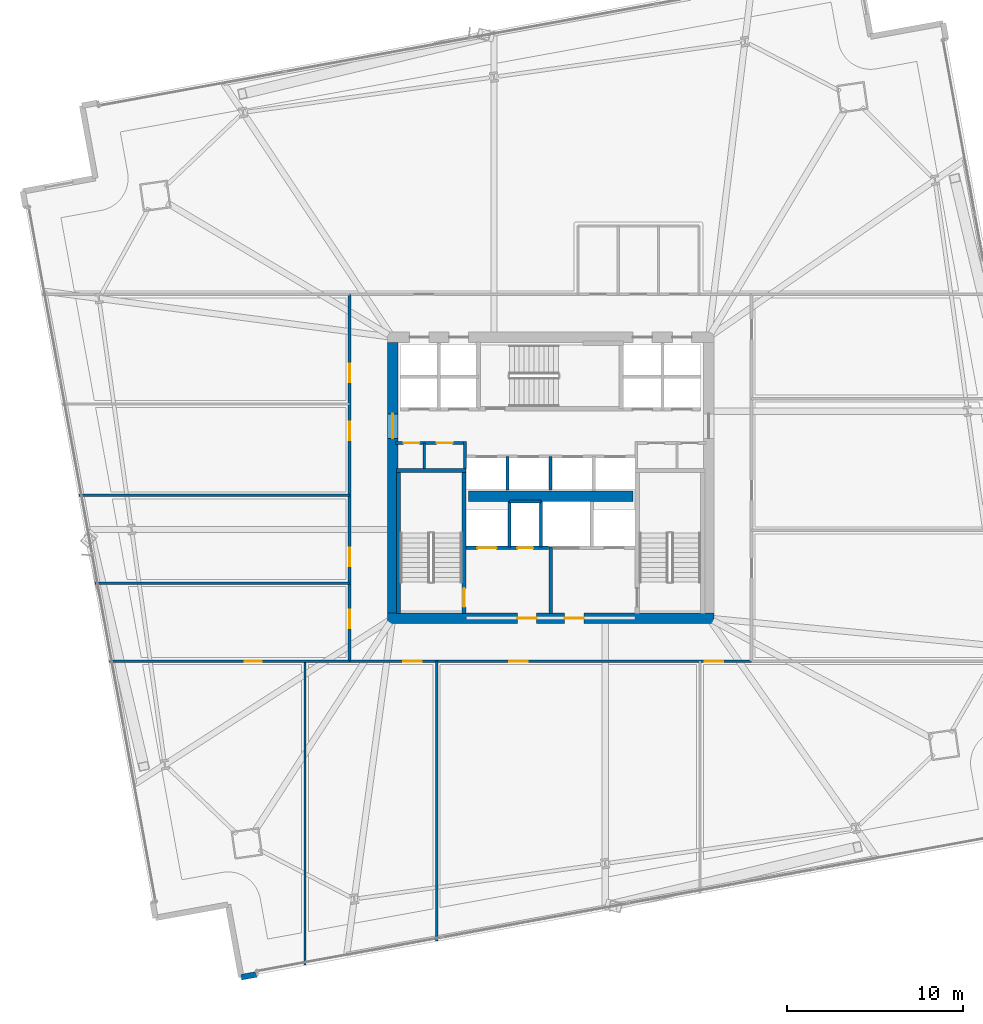
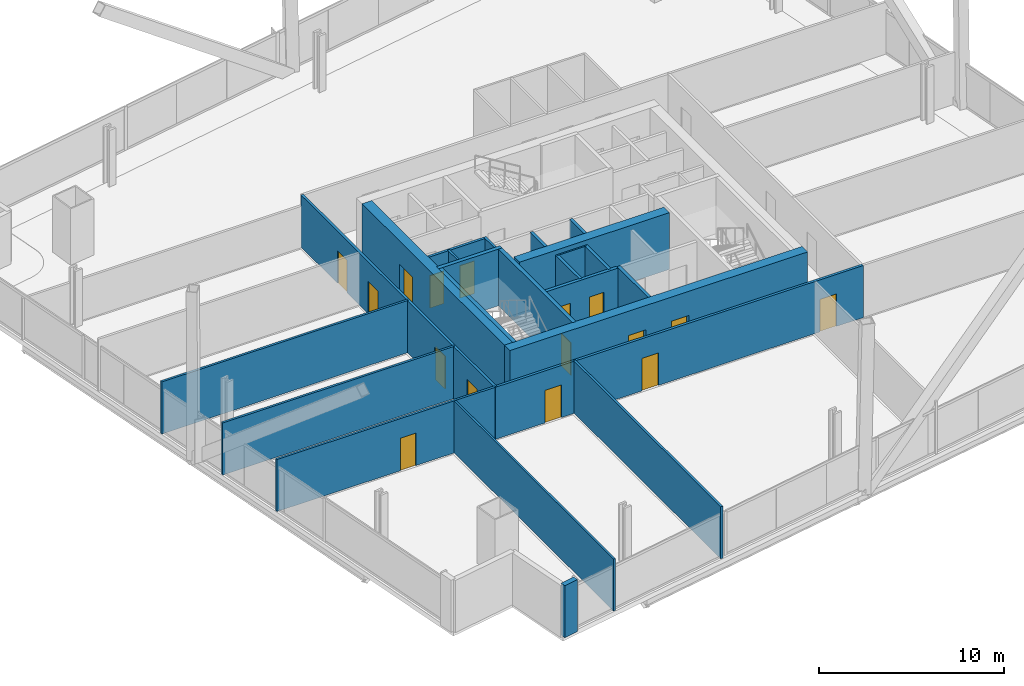
# One storey, part 26 of 34: 24 walls, 16 doors, 16 openings.
"""IFC4 building model written with IfcOpenShell, lengths in metres."""

from ifc_helpers import new_model, si_unit, direction, frame, frame_2d, origin, place, context, subcontext, project, spatial, rectangle, extrude, material, layer, layer_set, type_object, element, fill, save


model = new_model("IFC4")

# Units and contexts
model_context = context("Model", 3, precision=1e-05, world=origin(), true_north=direction((0.0, 1.0)))
body_context = subcontext(model_context, "Body", "Model", "MODEL_VIEW")
ifc_project = project(units=[si_unit("LENGTHUNIT", "METRE"), si_unit("AREAUNIT", "SQUARE_METRE"), si_unit("VOLUMEUNIT", "CUBIC_METRE"), si_unit("PLANEANGLEUNIT", "RADIAN"), si_unit("MASSUNIT", "GRAM", prefix="KILO")], contexts=[model_context])

# Site, building, storey
site_placement = place(None, origin())
site = spatial("IfcSite", under=ifc_project, at=site_placement, CompositionType="ELEMENT")
building_placement = place(site_placement, origin())
building = spatial("IfcBuilding", under=site, at=building_placement, Name="Haldenkirk Collegiate Tower", CompositionType="ELEMENT")
storey_placement = place(building_placement, frame((0.0, 0.0, 62.699951171875)))
storey = spatial("IfcBuildingStorey", under=building, at=storey_placement, Name="L14", CompositionType="ELEMENT", Elevation=62.699951171875)

# Wall, openings, doors
ifc_material_1 = material(Name="Concrete f'c 70 MPa", Category="concrete")
ifc_layer_1 = layer(ifc_material_1, 0.60009765625)
ifc_layer_set_1 = layer_set([ifc_layer_1], Name="Concrete f'c 70 MPa")
wall_type_1 = type_object("IfcWallType", Name="WL-CORE-600", PredefinedType="SHEAR", material=ifc_layer_set_1)
wall_1_placement = place(storey_placement, frame((26.699951171875, 18.0, 0.0), z_axis=(0.0, 0.0, 1.0), x_axis=(1.0, 0.0, 0.0)))
wall_1 = element("IfcWall", 1, at=wall_1_placement, inside=storey, type_object=wall_type_1, Name="L14 central core shear wall S", PredefinedType="SHEAR", context=body_context, shape_type="SweptSolid", body=[
    extrude(rectangle(XDim=18.60009765625, YDim=0.60009765625, at=frame_2d((9.300048828125, 0.0))), origin(), (0.0, 0.0, 1.0), 3.75),
])
opening_1_placement = place(wall_1_placement, frame((7.39990234375, 0.0, 0.0)))
opening_1 = element("IfcOpeningElement", 2, at=opening_1_placement, cuts=wall_1, Name="Opening D-02", PredefinedType="OPENING", context=body_context, shape_type="SweptSolid", body=[
    extrude(rectangle(XDim=1.10009765625, YDim=2.14990234375, at=frame_2d((0.550048828125, 1.074951171875))), frame((0.0, 0.31005859375, 0.0), z_axis=(0.0, -1.0, 0.0), x_axis=(1.0, 0.0, 0.0)), (0.0, 0.0, 1.0), 0.6201171875),
])
opening_2_placement = place(wall_1_placement, frame((10.10009765625, 0.0, 0.0)))
opening_2 = element("IfcOpeningElement", 3, at=opening_2_placement, cuts=wall_1, Name="Opening D-02", PredefinedType="OPENING", context=body_context, shape_type="SweptSolid", body=[
    extrude(rectangle(XDim=1.10009765625, YDim=2.14990234375, at=frame_2d((0.550048828125, 1.074951171875))), frame((0.0, 0.31005859375, 0.0), z_axis=(0.0, -1.0, 0.0), x_axis=(1.0, 0.0, 0.0)), (0.0, 0.0, 1.0), 0.6201171875),
])
ifc_material_2 = material(Name="Galvanized fire-rated hollow steel door", Category="steel")
ifc_layer_2 = layer(ifc_material_2, 0.06005859375)
ifc_layer_set_2 = layer_set([ifc_layer_2], Name="Galvanized fire-rated hollow steel door")
door_type_1 = type_object("IfcDoorType", Name="DR-STAIR-FD90-1100", OperationType="NOTDEFINED", PredefinedType="DOOR", material=ifc_layer_set_2)
door_1_placement = place(opening_1_placement, origin())
door_1 = element("IfcDoor", 4, at=door_1_placement, inside=storey, type_object=door_type_1, Name="L14 Firefighting Lobby 1 door", OperationType="SINGLE_SWING_RIGHT", OverallHeight=2.14990234375, OverallWidth=1.10009765625, PredefinedType="DOOR", context=body_context, shape_type="SweptSolid", body=[
    extrude(rectangle(XDim=1.10009765625, YDim=2.14990234375, at=frame_2d((0.550048828125, 1.074951171875))), frame((0.0, 0.02490234375, 0.0), z_axis=(0.0, -1.0, 0.0), x_axis=(1.0, 0.0, 0.0)), (0.0, 0.0, 1.0), 0.050048828125),
])
fill(opening_1, door_1)
door_2_placement = place(opening_2_placement, origin())
door_2 = element("IfcDoor", 5, at=door_2_placement, inside=storey, type_object=door_type_1, Name="L14 Firefighting Lobby 2 door", OperationType="SINGLE_SWING_LEFT", OverallHeight=2.14990234375, OverallWidth=1.10009765625, PredefinedType="DOOR", context=body_context, shape_type="SweptSolid", body=[
    extrude(rectangle(XDim=1.10009765625, YDim=2.14990234375, at=frame_2d((0.550048828125, 1.074951171875))), frame((0.0, 0.02490234375, 0.0), z_axis=(0.0, -1.0, 0.0), x_axis=(1.0, 0.0, 0.0)), (0.0, 0.0, 1.0), 0.050048828125),
])
fill(opening_2, door_2)

# Wall, opening, door
wall_2_placement = place(storey_placement, frame((27.0, 18.300048828125, 0.0), z_axis=(0.0, 0.0, 1.0), x_axis=(0.0, 1.0, 0.0)))
wall_2 = element("IfcWall", 6, at=wall_2_placement, inside=storey, type_object=wall_type_1, Name="L14 central core shear wall W", PredefinedType="SHEAR", context=body_context, shape_type="SweptSolid", body=[
    extrude(rectangle(XDim=15.39990234375, YDim=0.60009765625, at=frame_2d((7.699951171875, 0.0))), origin(), (0.0, 0.0, 1.0), 3.75),
])
opening_3_placement = place(wall_2_placement, frame((9.93994140625, 0.0, 0.0)))
opening_3 = element("IfcOpeningElement", 7, at=opening_3_placement, cuts=wall_2, Name="Opening D-03", PredefinedType="OPENING", context=body_context, shape_type="SweptSolid", body=[
    extrude(rectangle(XDim=1.39990234375, YDim=2.199951171875, at=frame_2d((0.699951171875, 1.10009765625))), frame((0.0, 0.31005859375, 0.0), z_axis=(0.0, -1.0, 0.0), x_axis=(1.0, 0.0, 0.0)), (0.0, 0.0, 1.0), 0.6201171875),
])
ifc_layer_3 = layer(ifc_material_2, 0.06005859375)
ifc_layer_set_3 = layer_set([ifc_layer_3], Name="Galvanized fire-rated hollow steel door")
door_type_2 = type_object("IfcDoorType", Name="DR-LOBBY-FD90-1400", OperationType="NOTDEFINED", PredefinedType="DOOR", material=ifc_layer_set_3)
door_3_placement = place(opening_3_placement, origin())
door_3 = element("IfcDoor", 8, at=door_3_placement, inside=storey, type_object=door_type_2, Name="L14 west lift lobby portal", OperationType="DOUBLE_DOOR_SINGLE_SWING", OverallHeight=2.199951171875, OverallWidth=1.39990234375, PredefinedType="DOOR", context=body_context, shape_type="SweptSolid", body=[
    extrude(rectangle(XDim=1.39990234375, YDim=2.199951171875, at=frame_2d((0.699951171875, 1.10009765625))), frame((0.0, 0.02490234375, 0.0), z_axis=(0.0, -1.0, 0.0), x_axis=(1.0, 0.0, 0.0)), (0.0, 0.0, 1.0), 0.050048828125),
])
fill(opening_3, door_3)

# Walls
wall_3_placement = place(storey_placement, frame((31.31005859375, 24.949951171875, 0.0), z_axis=(0.0, 0.0, 1.0), x_axis=(1.0, 0.0, 0.0)))
element("IfcWall", 9, at=wall_3_placement, inside=storey, type_object=wall_type_1, Name="L14 central core spine shear wall", PredefinedType="SHEAR", context=body_context, shape_type="SweptSolid", body=[
    extrude(rectangle(XDim=9.3798828125, YDim=0.60009765625, at=frame_2d((4.68994140625, 0.0))), origin(), (0.0, 0.0, 1.0), 3.75),
])
ifc_material_3 = material(Name="Precast concrete f'c 40 MPa", Category="concrete")
ifc_layer_4 = layer(ifc_material_3, 0.320068359375)
ifc_layer_set_4 = layer_set([ifc_layer_4], Name="Precast concrete f'c 40 MPa")
wall_type_2 = type_object("IfcWallType", Name="WL-EXT-TWR-320", PredefinedType="STANDARD", material=ifc_layer_set_4)
wall_4_placement = place(storey_placement, frame((19.2607421875, -2.292724609375, 0.0), z_axis=(0.0, 0.0, 1.0), x_axis=(-0.983739424653, -0.179601626895, 0.0)))
element("IfcWall", 10, at=wall_4_placement, inside=storey, type_object=wall_type_2, Name="L14 precast corner pier SR", PredefinedType="STANDARD", context=body_context, shape_type="SweptSolid", body=[
    extrude(rectangle(XDim=0.89990234375, YDim=0.320068359375, at=frame_2d((0.449951171875, 0.0))), origin(), (0.0, 0.0, 1.0), 3.43994140625),
])

# Wall, openings, doors
ifc_material_4 = material(Name="Acoustic fire-rated gypsum partition", Category="concrete")
ifc_layer_5 = layer(ifc_material_4, 0.159912109375)
ifc_layer_set_5 = layer_set([ifc_layer_5], Name="Acoustic fire-rated gypsum partition")
wall_type_3 = type_object("IfcWallType", Name="WL-INT-CORR-160", PredefinedType="PARTITIONING", material=ifc_layer_set_5)
wall_5_placement = place(storey_placement, frame((27.14990234375, 27.97998046875, 0.0), z_axis=(0.0, 0.0, 1.0), x_axis=(1.0, 0.0, 0.0)))
wall_5 = element("IfcWall", 11, at=wall_5_placement, inside=storey, type_object=wall_type_3, Name="L14 interior partition IW-L14-VCSW-N", PredefinedType="PARTITIONING", context=body_context, shape_type="SweptSolid", body=[
    extrude(rectangle(XDim=4.050048828125, YDim=0.159912109375, at=frame_2d((2.02490234375, 0.0))), origin(), (0.0, 0.0, 1.0), 3.43994140625),
])
opening_4_placement = place(wall_5_placement, frame((0.469970703125, 0.0, 0.0)))
opening_4 = element("IfcOpeningElement", 12, at=opening_4_placement, cuts=wall_5, Name="Opening D-11", PredefinedType="OPENING", context=body_context, shape_type="SweptSolid", body=[
    extrude(rectangle(XDim=0.89990234375, YDim=2.14990234375, at=frame_2d((0.449951171875, 1.074951171875))), frame((0.0, 0.08984375, 0.0), z_axis=(0.0, -1.0, 0.0), x_axis=(1.0, 0.0, 0.0)), (0.0, 0.0, 1.0), 0.179931640625),
])
opening_5_placement = place(wall_5_placement, frame((2.360107421875, 0.0, 0.0)))
opening_5 = element("IfcOpeningElement", 13, at=opening_5_placement, cuts=wall_5, Name="Opening D-11", PredefinedType="OPENING", context=body_context, shape_type="SweptSolid", body=[
    extrude(rectangle(XDim=0.89990234375, YDim=2.14990234375, at=frame_2d((0.449951171875, 1.074951171875))), frame((0.0, 0.08984375, 0.0), z_axis=(0.0, -1.0, 0.0), x_axis=(1.0, 0.0, 0.0)), (0.0, 0.0, 1.0), 0.179931640625),
])
ifc_material_5 = material(Name="Solid-core architectural oak fire door", Category="wood")
ifc_layer_6 = layer(ifc_material_5, 0.06005859375)
ifc_layer_set_6 = layer_set([ifc_layer_6], Name="Solid-core architectural oak fire door")
door_type_3 = type_object("IfcDoorType", Name="DR-INT-FD60-900", OperationType="NOTDEFINED", PredefinedType="DOOR", material=ifc_layer_set_6)
door_4_placement = place(opening_4_placement, origin())
door_4 = element("IfcDoor", 14, at=door_4_placement, inside=storey, type_object=door_type_3, Name="L14 core AV closet door", OperationType="SINGLE_SWING_LEFT", OverallHeight=2.14990234375, OverallWidth=0.89990234375, PredefinedType="DOOR", context=body_context, shape_type="SweptSolid", body=[
    extrude(rectangle(XDim=0.89990234375, YDim=2.14990234375, at=frame_2d((0.449951171875, 1.074951171875))), frame((0.0, 0.02490234375, 0.0), z_axis=(0.0, -1.0, 0.0), x_axis=(1.0, 0.0, 0.0)), (0.0, 0.0, 1.0), 0.050048828125),
])
fill(opening_4, door_4)
door_5_placement = place(opening_5_placement, origin())
door_5 = element("IfcDoor", 15, at=door_5_placement, inside=storey, type_object=door_type_3, Name="L14 core supply closet door", OperationType="SINGLE_SWING_RIGHT", OverallHeight=2.14990234375, OverallWidth=0.89990234375, PredefinedType="DOOR", context=body_context, shape_type="SweptSolid", body=[
    extrude(rectangle(XDim=0.89990234375, YDim=2.14990234375, at=frame_2d((0.449951171875, 1.074951171875))), frame((0.0, 0.02490234375, 0.0), z_axis=(0.0, -1.0, 0.0), x_axis=(1.0, 0.0, 0.0)), (0.0, 0.0, 1.0), 0.050048828125),
])
fill(opening_5, door_5)

# Wall
wall_6_placement = place(storey_placement, frame((31.1201171875, 26.5400390625, 0.0), z_axis=(0.0, 0.0, 1.0), x_axis=(0.0, 1.0, 0.0)))
element("IfcWall", 16, at=wall_6_placement, inside=storey, type_object=wall_type_3, Name="L14 interior partition IW-L14-VCSW-E", PredefinedType="PARTITIONING", context=body_context, shape_type="SweptSolid", body=[
    extrude(rectangle(XDim=1.510009765625, YDim=0.159912109375, at=frame_2d((0.7548828125, 0.0))), origin(), (0.0, 0.0, 1.0), 3.43994140625),
])

# Wall, openings, doors
wall_7_placement = place(storey_placement, frame((24.5, 15.550048828125, 0.0), z_axis=(0.0, 0.0, 1.0), x_axis=(1.0, 0.0, 0.0)))
wall_7 = element("IfcWall", 17, at=wall_7_placement, inside=storey, type_object=wall_type_3, Name="L14 interior partition IW-L14-CS", PredefinedType="PARTITIONING", context=body_context, shape_type="SweptSolid", body=[
    extrude(rectangle(XDim=23.0, YDim=0.159912109375, at=frame_2d((11.5, 0.0))), origin(), (0.0, 0.0, 1.0), 3.43994140625),
])
opening_6_placement = place(wall_7_placement, frame((3.10107421875, 0.0, 0.0)))
opening_6 = element("IfcOpeningElement", 18, at=opening_6_placement, cuts=wall_7, Name="Opening D-09", PredefinedType="OPENING", context=body_context, shape_type="SweptSolid", body=[
    extrude(rectangle(XDim=1.050048828125, YDim=2.14990234375, at=frame_2d((0.52490234375, 1.074951171875))), frame((0.0, 0.08984375, 0.0), z_axis=(0.0, -1.0, 0.0), x_axis=(1.0, 0.0, 0.0)), (0.0, 0.0, 1.0), 0.179931640625),
])
opening_7_placement = place(wall_7_placement, frame((9.155029296875, 0.0, 0.0)))
opening_7 = element("IfcOpeningElement", 19, at=opening_7_placement, cuts=wall_7, Name="Opening D-09", PredefinedType="OPENING", context=body_context, shape_type="SweptSolid", body=[
    extrude(rectangle(XDim=1.050048828125, YDim=2.14990234375, at=frame_2d((0.52490234375, 1.074951171875))), frame((0.0, 0.08984375, 0.0), z_axis=(0.0, -1.0, 0.0), x_axis=(1.0, 0.0, 0.0)), (0.0, 0.0, 1.0), 0.179931640625),
])
opening_8_placement = place(wall_7_placement, frame((20.280029296875, 0.0, 0.0)))
opening_8 = element("IfcOpeningElement", 20, at=opening_8_placement, cuts=wall_7, Name="Opening D-09", PredefinedType="OPENING", context=body_context, shape_type="SweptSolid", body=[
    extrude(rectangle(XDim=1.050048828125, YDim=2.14990234375, at=frame_2d((0.52490234375, 1.074951171875))), frame((0.0, 0.08984375, 0.0), z_axis=(0.0, -1.0, 0.0), x_axis=(1.0, 0.0, 0.0)), (0.0, 0.0, 1.0), 0.179931640625),
])
ifc_layer_7 = layer(ifc_material_5, 0.06005859375)
ifc_layer_set_7 = layer_set([ifc_layer_7], Name="Solid-core architectural oak fire door")
door_type_4 = type_object("IfcDoorType", Name="DR-INT-FD60-1050", OperationType="NOTDEFINED", PredefinedType="DOOR", material=ifc_layer_set_7)
door_6_placement = place(opening_6_placement, origin())
door_6 = element("IfcDoor", 21, at=door_6_placement, inside=storey, type_object=door_type_4, Name="L14 Student Reading Lounge 2 door", OperationType="SINGLE_SWING_LEFT", OverallHeight=2.14990234375, OverallWidth=1.050048828125, PredefinedType="DOOR", context=body_context, shape_type="SweptSolid", body=[
    extrude(rectangle(XDim=1.050048828125, YDim=2.14990234375, at=frame_2d((0.52490234375, 1.074951171875))), frame((0.0, 0.02490234375, 0.0), z_axis=(0.0, -1.0, 0.0), x_axis=(1.0, 0.0, 0.0)), (0.0, 0.0, 1.0), 0.050048828125),
])
fill(opening_6, door_6)
door_7_placement = place(opening_7_placement, origin())
door_7 = element("IfcDoor", 22, at=door_7_placement, inside=storey, type_object=door_type_4, Name="L14 Graduate Study Lounge 3 door", OperationType="SINGLE_SWING_RIGHT", OverallHeight=2.14990234375, OverallWidth=1.050048828125, PredefinedType="DOOR", context=body_context, shape_type="SweptSolid", body=[
    extrude(rectangle(XDim=1.050048828125, YDim=2.14990234375, at=frame_2d((0.52490234375, 1.074951171875))), frame((0.0, 0.02490234375, 0.0), z_axis=(0.0, -1.0, 0.0), x_axis=(1.0, 0.0, 0.0)), (0.0, 0.0, 1.0), 0.050048828125),
])
fill(opening_7, door_7)
door_8_placement = place(opening_8_placement, origin())
door_8 = element("IfcDoor", 23, at=door_8_placement, inside=storey, type_object=door_type_4, Name="L14 Faculty Club Lounge 4 door", OperationType="SINGLE_SWING_LEFT", OverallHeight=2.14990234375, OverallWidth=1.050048828125, PredefinedType="DOOR", context=body_context, shape_type="SweptSolid", body=[
    extrude(rectangle(XDim=1.050048828125, YDim=2.14990234375, at=frame_2d((0.52490234375, 1.074951171875))), frame((0.0, 0.02490234375, 0.0), z_axis=(0.0, -1.0, 0.0), x_axis=(1.0, 0.0, 0.0)), (0.0, 0.0, 1.0), 0.050048828125),
])
fill(opening_8, door_8)

wall_8_placement = place(storey_placement, frame((24.550048828125, 15.550048828125, 0.0), z_axis=(0.0, 0.0, 1.0), x_axis=(0.0, 1.0, 0.0)))
wall_8 = element("IfcWall", 24, at=wall_8_placement, inside=storey, type_object=wall_type_3, Name="L14 interior partition IW-L14-CW", PredefinedType="PARTITIONING", context=body_context, shape_type="SweptSolid", body=[
    extrude(rectangle(XDim=20.89990234375, YDim=0.159912109375, at=frame_2d((10.449951171875, 0.0))), origin(), (0.0, 0.0, 1.0), 3.43994140625),
])
opening_9_placement = place(wall_8_placement, frame((1.865966796875, 0.0, 0.0)))
opening_9 = element("IfcOpeningElement", 25, at=opening_9_placement, cuts=wall_8, Name="Opening D-09", PredefinedType="OPENING", context=body_context, shape_type="SweptSolid", body=[
    extrude(rectangle(XDim=1.050048828125, YDim=2.14990234375, at=frame_2d((0.52490234375, 1.074951171875))), frame((0.0, 0.08984375, 0.0), z_axis=(0.0, -1.0, 0.0), x_axis=(1.0, 0.0, 0.0)), (0.0, 0.0, 1.0), 0.179931640625),
])
opening_10_placement = place(wall_8_placement, frame((5.405029296875, 0.0, 0.0)))
opening_10 = element("IfcOpeningElement", 26, at=opening_10_placement, cuts=wall_8, Name="Opening D-09", PredefinedType="OPENING", context=body_context, shape_type="SweptSolid", body=[
    extrude(rectangle(XDim=1.050048828125, YDim=2.14990234375, at=frame_2d((0.52490234375, 1.074951171875))), frame((0.0, 0.08984375, 0.0), z_axis=(0.0, -1.0, 0.0), x_axis=(1.0, 0.0, 0.0)), (0.0, 0.0, 1.0), 0.179931640625),
])
opening_11_placement = place(wall_8_placement, frame((12.5810546875, 0.0, 0.0)))
opening_11 = element("IfcOpeningElement", 27, at=opening_11_placement, cuts=wall_8, Name="Opening D-09", PredefinedType="OPENING", context=body_context, shape_type="SweptSolid", body=[
    extrude(rectangle(XDim=1.050048828125, YDim=2.14990234375, at=frame_2d((0.52490234375, 1.074951171875))), frame((0.0, 0.08984375, 0.0), z_axis=(0.0, -1.0, 0.0), x_axis=(1.0, 0.0, 0.0)), (0.0, 0.0, 1.0), 0.179931640625),
])
opening_12_placement = place(wall_8_placement, frame((15.89892578125, 0.0, 0.0)))
opening_12 = element("IfcOpeningElement", 28, at=opening_12_placement, cuts=wall_8, Name="Opening D-09", PredefinedType="OPENING", context=body_context, shape_type="SweptSolid", body=[
    extrude(rectangle(XDim=1.050048828125, YDim=2.14990234375, at=frame_2d((0.52490234375, 1.074951171875))), frame((0.0, 0.08984375, 0.0), z_axis=(0.0, -1.0, 0.0), x_axis=(1.0, 0.0, 0.0)), (0.0, 0.0, 1.0), 0.179931640625),
])
door_9_placement = place(opening_9_placement, origin())
door_9 = element("IfcDoor", 29, at=door_9_placement, inside=storey, type_object=door_type_4, Name="L14 Scholar Lounge 6 door", OperationType="SINGLE_SWING_LEFT", OverallHeight=2.14990234375, OverallWidth=1.050048828125, PredefinedType="DOOR", context=body_context, shape_type="SweptSolid", body=[
    extrude(rectangle(XDim=1.050048828125, YDim=2.14990234375, at=frame_2d((0.52490234375, 1.074951171875))), frame((0.0, 0.02490234375, 0.0), z_axis=(0.0, -1.0, 0.0), x_axis=(1.0, 0.0, 0.0)), (0.0, 0.0, 1.0), 0.050048828125),
])
fill(opening_9, door_9)
door_10_placement = place(opening_10_placement, origin())
door_10 = element("IfcDoor", 30, at=door_10_placement, inside=storey, type_object=door_type_4, Name="L14 Collegiate Commons Lounge 7 door", OperationType="SINGLE_SWING_RIGHT", OverallHeight=2.14990234375, OverallWidth=1.050048828125, PredefinedType="DOOR", context=body_context, shape_type="SweptSolid", body=[
    extrude(rectangle(XDim=1.050048828125, YDim=2.14990234375, at=frame_2d((0.52490234375, 1.074951171875))), frame((0.0, 0.02490234375, 0.0), z_axis=(0.0, -1.0, 0.0), x_axis=(1.0, 0.0, 0.0)), (0.0, 0.0, 1.0), 0.050048828125),
])
fill(opening_10, door_10)
door_11_placement = place(opening_11_placement, origin())
door_11 = element("IfcDoor", 31, at=door_11_placement, inside=storey, type_object=door_type_4, Name="L14 Student Reading Lounge 8 door", OperationType="SINGLE_SWING_LEFT", OverallHeight=2.14990234375, OverallWidth=1.050048828125, PredefinedType="DOOR", context=body_context, shape_type="SweptSolid", body=[
    extrude(rectangle(XDim=1.050048828125, YDim=2.14990234375, at=frame_2d((0.52490234375, 1.074951171875))), frame((0.0, 0.02490234375, 0.0), z_axis=(0.0, -1.0, 0.0), x_axis=(1.0, 0.0, 0.0)), (0.0, 0.0, 1.0), 0.050048828125),
])
fill(opening_11, door_11)
door_12_placement = place(opening_12_placement, origin())
door_12 = element("IfcDoor", 32, at=door_12_placement, inside=storey, type_object=door_type_4, Name="L14 Graduate Study Lounge 9 door", OperationType="SINGLE_SWING_RIGHT", OverallHeight=2.14990234375, OverallWidth=1.050048828125, PredefinedType="DOOR", context=body_context, shape_type="SweptSolid", body=[
    extrude(rectangle(XDim=1.050048828125, YDim=2.14990234375, at=frame_2d((0.52490234375, 1.074951171875))), frame((0.0, 0.02490234375, 0.0), z_axis=(0.0, -1.0, 0.0), x_axis=(1.0, 0.0, 0.0)), (0.0, 0.0, 1.0), 0.050048828125),
])
fill(opening_12, door_12)

# Wall, opening, door
ifc_layer_8 = layer(ifc_material_4, 0.139892578125)
ifc_layer_set_8 = layer_set([ifc_layer_8], Name="Acoustic fire-rated gypsum partition")
wall_type_4 = type_object("IfcWallType", Name="WL-INT-DIV-140", PredefinedType="PARTITIONING", material=ifc_layer_set_8)
wall_9_placement = place(storey_placement, frame((10.8583984375, 15.550048828125, 0.0), z_axis=(0.0, 0.0, 1.0), x_axis=(1.0, 0.0, 0.0)))
wall_9 = element("IfcWall", 33, at=wall_9_placement, inside=storey, type_object=wall_type_4, Name="L14 interior partition IW-L14-BWS", PredefinedType="PARTITIONING", context=body_context, shape_type="SweptSolid", body=[
    extrude(rectangle(XDim=13.691650390625, YDim=0.139892578125, at=frame_2d((6.845703125, 0.0))), origin(), (0.0, 0.0, 1.0), 3.43994140625),
])
opening_13_placement = place(wall_9_placement, frame((7.730712890625, 0.0, 0.0)))
opening_13 = element("IfcOpeningElement", 34, at=opening_13_placement, cuts=wall_9, Name="Opening D-12", PredefinedType="OPENING", context=body_context, shape_type="SweptSolid", body=[
    extrude(rectangle(XDim=0.949951171875, YDim=2.14990234375, at=frame_2d((0.47509765625, 1.074951171875))), frame((0.0, 0.079833984375, 0.0), z_axis=(0.0, -1.0, 0.0), x_axis=(1.0, 0.0, 0.0)), (0.0, 0.0, 1.0), 0.159912109375),
])
ifc_layer_9 = layer(ifc_material_5, 0.06005859375)
ifc_layer_set_9 = layer_set([ifc_layer_9], Name="Solid-core architectural oak fire door")
door_type_5 = type_object("IfcDoorType", Name="DR-INT-STD-950", OperationType="NOTDEFINED", PredefinedType="DOOR", material=ifc_layer_set_9)
door_13_placement = place(opening_13_placement, origin())
door_13 = element("IfcDoor", 35, at=door_13_placement, inside=storey, type_object=door_type_5, Name="L14 Collegiate Commons Lounge 1 door", OperationType="SINGLE_SWING_RIGHT", OverallHeight=2.14990234375, OverallWidth=0.949951171875, PredefinedType="DOOR", context=body_context, shape_type="SweptSolid", body=[
    extrude(rectangle(XDim=0.949951171875, YDim=2.14990234375, at=frame_2d((0.47509765625, 1.074951171875))), frame((0.0, 0.02490234375, 0.0), z_axis=(0.0, -1.0, 0.0), x_axis=(1.0, 0.0, 0.0)), (0.0, 0.0, 1.0), 0.050048828125),
])
fill(opening_13, door_13)

# Walls
wall_10_placement = place(storey_placement, frame((29.5, -0.382080078125, 0.0), z_axis=(0.0, 0.0, 1.0), x_axis=(0.0, 1.0, 0.0)))
element("IfcWall", 36, at=wall_10_placement, inside=storey, type_object=wall_type_4, Name="L14 interior partition IW-L14-RS2", PredefinedType="PARTITIONING", context=body_context, shape_type="SweptSolid", body=[
    extrude(rectangle(XDim=15.93212890625, YDim=0.139892578125, at=frame_2d((7.966064453125, 0.0))), origin(), (0.0, 0.0, 1.0), 3.43994140625),
])
wall_11_placement = place(storey_placement, frame((10.045654296875, 20.0, 0.0), z_axis=(0.0, 0.0, 1.0), x_axis=(1.0, 0.0, 0.0)))
element("IfcWall", 37, at=wall_11_placement, inside=storey, type_object=wall_type_4, Name="L14 interior partition IW-L14-RW1", PredefinedType="PARTITIONING", context=body_context, shape_type="SweptSolid", body=[
    extrude(rectangle(XDim=14.50439453125, YDim=0.139892578125, at=frame_2d((7.252197265625, 0.0))), origin(), (0.0, 0.0, 1.0), 3.43994140625),
])
wall_12_placement = place(storey_placement, frame((9.132568359375, 25.0, 0.0), z_axis=(0.0, 0.0, 1.0), x_axis=(1.0, 0.0, 0.0)))
element("IfcWall", 38, at=wall_12_placement, inside=storey, type_object=wall_type_4, Name="L14 interior partition IW-L14-RW2", PredefinedType="PARTITIONING", context=body_context, shape_type="SweptSolid", body=[
    extrude(rectangle(XDim=15.41748046875, YDim=0.139892578125, at=frame_2d((7.708740234375, 0.0))), origin(), (0.0, 0.0, 1.0), 3.43994140625),
])
ifc_material_6 = material(Name="Fire-rated gypsum shaftboard assembly", Category="concrete")
ifc_layer_10 = layer(ifc_material_6, 0.179931640625)
ifc_layer_set_10 = layer_set([ifc_layer_10], Name="Fire-rated gypsum shaftboard assembly")
wall_type_5 = type_object("IfcWallType", Name="WL-INT-SHAFT-180", PredefinedType="PARTITIONING", material=ifc_layer_set_10)
for number, where, z_axis, x_axis, name in (
    (39, (33.64990234375, 22.050048828125, 0.0), (0.0, 0.0, 1.0), (0.0, 1.0, 0.0), "L14 interior partition IW-L14-FL1E"),
    (40, (35.449951171875, 22.050048828125, 0.0), (0.0, 0.0, 1.0), (0.0, 1.0, 0.0), "L14 interior partition IW-L14-GL1W"),
):
    element("IfcWall", number, at=place(storey_placement, frame(where, z_axis=z_axis, x_axis=x_axis)), inside=storey, type_object=wall_type_5, Name=name, PredefinedType="PARTITIONING", context=body_context, shape_type="SweptSolid", body=[
        extrude(rectangle(XDim=2.599853515625, YDim=0.179931640625, at=frame_2d((1.2998046875, 0.0))), origin(), (0.0, 0.0, 1.0), 3.43994140625),
    ])
wall_13_placement = place(storey_placement, frame((33.64990234375, 24.64990234375, 0.0), z_axis=(0.0, 0.0, 1.0), x_axis=(1.0, 0.0, 0.0)))
element("IfcWall", 41, at=wall_13_placement, inside=storey, type_object=wall_type_5, Name="L14 interior partition IW-L14-RSRN", PredefinedType="PARTITIONING", context=body_context, shape_type="SweptSolid", body=[
    extrude(rectangle(XDim=1.800048828125, YDim=0.179931640625, at=frame_2d((0.89990234375, 0.0))), origin(), (0.0, 0.0, 1.0), 3.43994140625),
])
for number, where, z_axis, x_axis, name in (
    (42, (33.5400390625, 25.300048828125, 0.0), (0.0, 0.0, 1.0), (0.0, 1.0, 0.0), "L14 interior partition IW-L14-PHV1"),
    (43, (36.0, 25.300048828125, 0.0), (0.0, 0.0, 1.0), (0.0, 1.0, 0.0), "L14 interior partition IW-L14-PHV2"),
):
    element("IfcWall", number, at=place(storey_placement, frame(where, z_axis=z_axis, x_axis=x_axis)), inside=storey, type_object=wall_type_5, Name=name, PredefinedType="PARTITIONING", context=body_context, shape_type="SweptSolid", body=[
        extrude(rectangle(XDim=1.89990234375, YDim=0.179931640625, at=frame_2d((0.949951171875, 0.0))), origin(), (0.0, 0.0, 1.0), 3.43994140625),
    ])
ifc_layer_11 = layer(ifc_material_6, 0.199951171875)
ifc_layer_set_11 = layer_set([ifc_layer_11], Name="Fire-rated gypsum shaftboard assembly")
wall_type_6 = type_object("IfcWallType", Name="WL-INT-SHAFT-200", PredefinedType="PARTITIONING", material=ifc_layer_set_11)
wall_14_placement = place(storey_placement, frame((36.0, 18.280029296875, 0.0), z_axis=(0.0, 0.0, 1.0), x_axis=(0.0, 1.0, 0.0)))
element("IfcWall", 44, at=wall_14_placement, inside=storey, type_object=wall_type_6, Name="L14 interior partition IW-L14-FFLM", PredefinedType="PARTITIONING", context=body_context, shape_type="SweptSolid", body=[
    extrude(rectangle(XDim=3.77001953125, YDim=0.199951171875, at=frame_2d((1.885009765625, 0.0))), origin(), (0.0, 0.0, 1.0), 3.43994140625),
])

# Wall, openings, doors
wall_15_placement = place(storey_placement, frame((31.18994140625, 22.0, 0.0), z_axis=(0.0, 0.0, 1.0), x_axis=(1.0, 0.0, 0.0)))
wall_15 = element("IfcWall", 45, at=wall_15_placement, inside=storey, type_object=wall_type_6, Name="L14 interior partition IW-L14-FFL1N", PredefinedType="PARTITIONING", context=body_context, shape_type="SweptSolid", body=[
    extrude(rectangle(XDim=4.68994140625, YDim=0.199951171875, at=frame_2d((2.344970703125, 0.0))), origin(), (0.0, 0.0, 1.0), 3.43994140625),
])
opening_14_placement = place(wall_15_placement, frame((2.909912109375, 0.0, 0.0)))
opening_14 = element("IfcOpeningElement", 46, at=opening_14_placement, cuts=wall_15, Name="Opening D-06", PredefinedType="OPENING", context=body_context, shape_type="SweptSolid", body=[
    extrude(rectangle(XDim=0.89990234375, YDim=2.14990234375, at=frame_2d((0.449951171875, 1.074951171875))), frame((0.0, 0.10986328125, 0.0), z_axis=(0.0, -1.0, 0.0), x_axis=(1.0, 0.0, 0.0)), (0.0, 0.0, 1.0), 0.219970703125),
])
opening_15_placement = place(wall_15_placement, frame((0.635009765625, 0.0, 0.0)))
opening_15 = element("IfcOpeningElement", 47, at=opening_15_placement, cuts=wall_15, Name="Opening LD-12", PredefinedType="OPENING", context=body_context, shape_type="SweptSolid", body=[
    extrude(rectangle(XDim=1.10009765625, YDim=2.14990234375, at=frame_2d((0.550048828125, 1.074951171875))), frame((0.0, 0.10986328125, 0.0), z_axis=(0.0, -1.0, 0.0), x_axis=(1.0, 0.0, 0.0)), (0.0, 0.0, 1.0), 0.219970703125),
])
ifc_layer_12 = layer(ifc_material_2, 0.06005859375)
ifc_layer_set_12 = layer_set([ifc_layer_12], Name="Galvanized fire-rated hollow steel door")
door_type_6 = type_object("IfcDoorType", Name="DR-INT-FD90-900", OperationType="NOTDEFINED", PredefinedType="DOOR", material=ifc_layer_set_12)
door_14_placement = place(opening_14_placement, origin())
door_14 = element("IfcDoor", 48, at=door_14_placement, inside=storey, type_object=door_type_6, Name="L14 electrical riser door", OperationType="SINGLE_SWING_RIGHT", OverallHeight=2.14990234375, OverallWidth=0.89990234375, PredefinedType="DOOR", context=body_context, shape_type="SweptSolid", body=[
    extrude(rectangle(XDim=0.89990234375, YDim=2.14990234375, at=frame_2d((0.449951171875, 1.074951171875))), frame((0.0, 0.02490234375, 0.0), z_axis=(0.0, -1.0, 0.0), x_axis=(1.0, 0.0, 0.0)), (0.0, 0.0, 1.0), 0.050048828125),
])
fill(opening_14, door_14)
ifc_material_7 = material(Name="Brushed architectural stainless steel", Category="steel")
ifc_layer_13 = layer(ifc_material_7, 0.06005859375)
ifc_layer_set_13 = layer_set([ifc_layer_13], Name="Brushed architectural stainless steel")
door_type_7 = type_object("IfcDoorType", Name="LD-FIRE-1100", OperationType="NOTDEFINED", PredefinedType="DOOR", material=ifc_layer_set_13)
door_15_placement = place(opening_15_placement, origin())
door_15 = element("IfcDoor", 49, at=door_15_placement, inside=storey, type_object=door_type_7, Name="L14 Elevator FL1 sliding landing door", OperationType="SLIDING_TO_LEFT", OverallHeight=2.14990234375, OverallWidth=1.10009765625, PredefinedType="DOOR", context=body_context, shape_type="SweptSolid", body=[
    extrude(rectangle(XDim=1.10009765625, YDim=2.14990234375, at=frame_2d((0.550048828125, 1.074951171875))), frame((0.0, 0.02490234375, 0.0), z_axis=(0.0, -1.0, 0.0), x_axis=(1.0, 0.0, 0.0)), (0.0, 0.0, 1.0), 0.050048828125),
])
fill(opening_15, door_15)

# Walls
ifc_layer_14 = layer(ifc_material_4, 0.1201171875)
ifc_layer_set_14 = layer_set([ifc_layer_14], Name="Acoustic fire-rated gypsum partition")
wall_type_7 = type_object("IfcWallType", Name="WL-INT-WET-120", PredefinedType="PARTITIONING", material=ifc_layer_set_14)
wall_16_placement = place(storey_placement, frame((28.800048828125, 26.5400390625, 0.0), z_axis=(0.0, 0.0, 1.0), x_axis=(0.0, 1.0, 0.0)))
element("IfcWall", 50, at=wall_16_placement, inside=storey, type_object=wall_type_7, Name="L14 interior partition IW-L14-VCSW-M", PredefinedType="PARTITIONING", context=body_context, shape_type="SweptSolid", body=[
    extrude(rectangle(XDim=1.43994140625, YDim=0.1201171875, at=frame_2d((0.719970703125, 0.0))), origin(), (0.0, 0.0, 1.0), 3.43994140625),
])
wall_17_placement = place(storey_placement, frame((22.0, -1.751708984375, 0.0), z_axis=(0.0, 0.0, 1.0), x_axis=(0.0, 1.0, 0.0)))
element("IfcWall", 51, at=wall_17_placement, inside=storey, type_object=wall_type_7, Name="L14 interior partition IW-L14-RS1", PredefinedType="PARTITIONING", context=body_context, shape_type="SweptSolid", body=[
    extrude(rectangle(XDim=17.3017578125, YDim=0.1201171875, at=frame_2d((8.65087890625, 0.0))), origin(), (0.0, 0.0, 1.0), 3.43994140625),
])

# Wall, opening, door
ifc_material_8 = material(Name="Concrete f'c 55 MPa", Category="concrete")
ifc_layer_15 = layer(ifc_material_8, 0.239990234375)
ifc_layer_set_15 = layer_set([ifc_layer_15], Name="Concrete f'c 55 MPa")
wall_type_8 = type_object("IfcWallType", Name="WL-SHAFT-240", PredefinedType="SHEAR", material=ifc_layer_set_15)
wall_18_placement = place(storey_placement, frame((31.070068359375, 18.280029296875, 0.0), z_axis=(0.0, 0.0, 1.0), x_axis=(0.0, 1.0, 0.0)))
wall_18 = element("IfcWall", 52, at=wall_18_placement, inside=storey, type_object=wall_type_8, Name="L14 stair shaft shear wall SW-L14-ST1E", PredefinedType="SHEAR", context=body_context, shape_type="SweptSolid", body=[
    extrude(rectangle(XDim=8.260009765625, YDim=0.239990234375, at=frame_2d((4.1298828125, 0.0))), origin(), (0.0, 0.0, 1.0), 3.75),
])
opening_16_placement = place(wall_18_placement, frame((0.364990234375, 0.0, 0.0)))
opening_16 = element("IfcOpeningElement", 53, at=opening_16_placement, cuts=wall_18, Name="Opening D-01", PredefinedType="OPENING", context=body_context, shape_type="SweptSolid", body=[
    extrude(rectangle(XDim=1.050048828125, YDim=2.14990234375, at=frame_2d((0.52490234375, 1.074951171875))), frame((0.0, 0.1298828125, 0.0), z_axis=(0.0, -1.0, 0.0), x_axis=(1.0, 0.0, 0.0)), (0.0, 0.0, 1.0), 0.260009765625),
])
ifc_layer_16 = layer(ifc_material_2, 0.06005859375)
ifc_layer_set_16 = layer_set([ifc_layer_16], Name="Galvanized fire-rated hollow steel door")
door_type_8 = type_object("IfcDoorType", Name="DR-STAIR-FD90-1050", OperationType="NOTDEFINED", PredefinedType="DOOR", material=ifc_layer_set_16)
door_16_placement = place(opening_16_placement, origin())
door_16 = element("IfcDoor", 54, at=door_16_placement, inside=storey, type_object=door_type_8, Name="L14 Stair 1 door", OperationType="SINGLE_SWING_LEFT", OverallHeight=2.14990234375, OverallWidth=1.050048828125, PredefinedType="DOOR", context=body_context, shape_type="SweptSolid", body=[
    extrude(rectangle(XDim=1.050048828125, YDim=2.14990234375, at=frame_2d((0.52490234375, 1.074951171875))), frame((0.0, 0.02490234375, 0.0), z_axis=(0.0, -1.0, 0.0), x_axis=(1.0, 0.0, 0.0)), (0.0, 0.0, 1.0), 0.050048828125),
])
fill(opening_16, door_16)

# Walls
wall_19_placement = place(storey_placement, frame((27.2099609375, 26.419921875, 0.0), z_axis=(0.0, 0.0, 1.0), x_axis=(1.0, 0.0, 0.0)))
element("IfcWall", 55, at=wall_19_placement, inside=storey, type_object=wall_type_8, Name="L14 stair shaft shear wall SW-L14-ST1N", PredefinedType="SHEAR", context=body_context, shape_type="SweptSolid", body=[
    extrude(rectangle(XDim=3.97998046875, YDim=0.239990234375, at=frame_2d((1.989990234375, 0.0))), origin(), (0.0, 0.0, 1.0), 3.75),
])
wall_20_placement = place(storey_placement, frame((27.330078125, 18.280029296875, 0.0), z_axis=(0.0, 0.0, 1.0), x_axis=(0.0, 1.0, 0.0)))
element("IfcWall", 56, at=wall_20_placement, inside=storey, type_object=wall_type_8, Name="L14 stair shaft shear wall SW-L14-ST1W", PredefinedType="SHEAR", context=body_context, shape_type="SweptSolid", body=[
    extrude(rectangle(XDim=8.260009765625, YDim=0.239990234375, at=frame_2d((4.1298828125, 0.0))), origin(), (0.0, 0.0, 1.0), 3.75),
])

save(model, "model.ifc")
